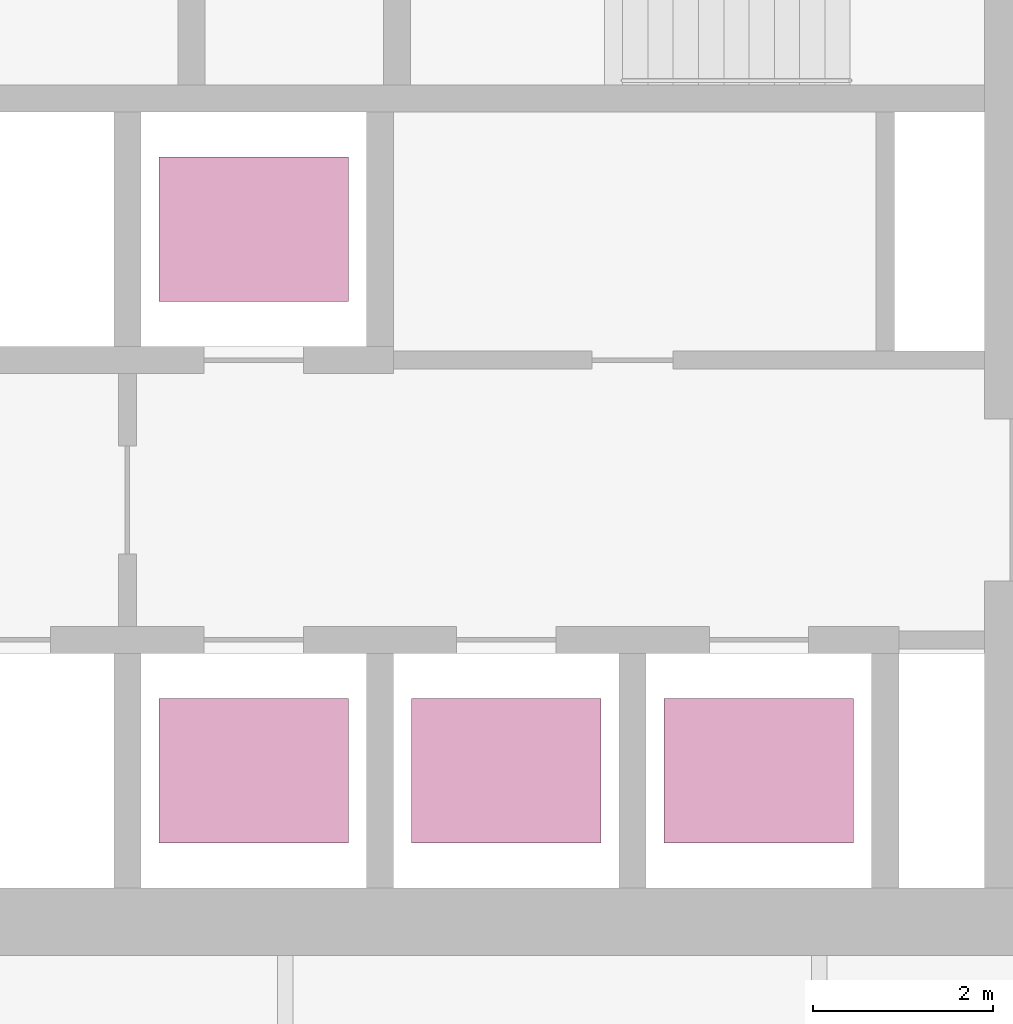
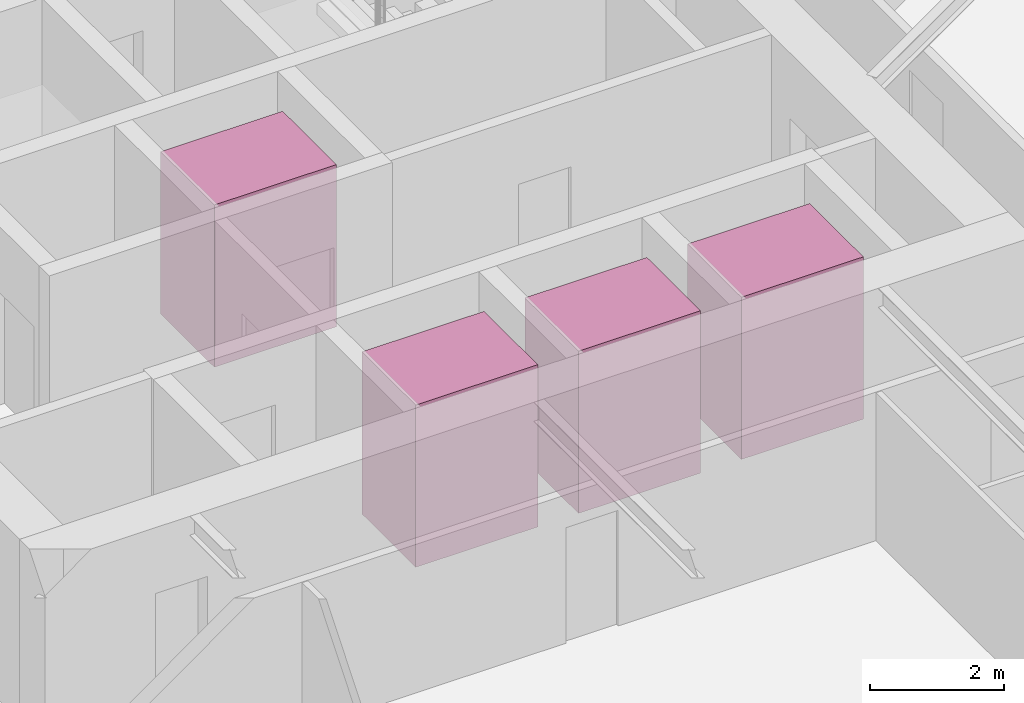
# One storey, part 23 of 23: 4 transport elements.
"""IFC4 building model written with IfcOpenShell, lengths in metres."""

from ifc_helpers import new_model, si_unit, direction, frame, origin, origin_2d, place, context, subcontext, project, spatial, rectangle, extrude, material, type_object, element, save


model = new_model("IFC4")

# Units and contexts
model_context = context("Model", 3, precision=1e-05, world=origin(), true_north=direction((0.0, 1.0)))
body_context = subcontext(model_context, "Body", "Model", "MODEL_VIEW")
ifc_project = project(units=[si_unit("LENGTHUNIT", "METRE"), si_unit("AREAUNIT", "SQUARE_METRE"), si_unit("VOLUMEUNIT", "CUBIC_METRE"), si_unit("PLANEANGLEUNIT", "RADIAN"), si_unit("MASSUNIT", "GRAM", prefix="KILO")], contexts=[model_context])

# Site, building, storey
site_placement = place(None, origin())
site = spatial("IfcSite", under=ifc_project, at=site_placement, CompositionType="ELEMENT")
building_placement = place(site_placement, origin())
building = spatial("IfcBuilding", under=site, at=building_placement, Name="Firuza Gate Tower and Library", CompositionType="ELEMENT")
storey_placement = place(building_placement, frame((0.0, 0.0, 312.60009765625)))
storey = spatial("IfcBuildingStorey", under=building, at=storey_placement, Name="L76", CompositionType="ELEMENT", Elevation=312.60009765625)

# Transport elements
ifc_material = material(Name="Stainless steel and glass", Category="steel")
transport_element_type = type_object("IfcTransportElementType", Name="High-rise lift car 2100x1600", PredefinedType="ELEVATOR", material=ifc_material)
for number, where, z_axis, x_axis, name in (
    (1, (74.64990234375, 70.300048828125, 0.0), (0.0, 0.0, 1.0), (1.0, 0.0, 0.0), "High-rise lift HR1"),
    (2, (77.449951171875, 70.300048828125, 0.0), (0.0, 0.0, 1.0), (1.0, 0.0, 0.0), "High-rise lift HR2"),
    (3, (80.25, 70.300048828125, 0.0), (0.0, 0.0, 1.0), (1.0, 0.0, 0.0), "High-rise lift HR3"),
    (4, (74.64990234375, 76.300048828125, 0.0), (0.0, 0.0, 1.0), (1.0, 0.0, 0.0), "High-rise lift HR4"),
):
    element("IfcTransportElement", number, at=place(storey_placement, frame(where, z_axis=z_axis, x_axis=x_axis)), inside=storey, type_object=transport_element_type, Name=name, PredefinedType="ELEVATOR", context=body_context, shape_type="SweptSolid", body=[
        extrude(rectangle(XDim=2.10009765625, YDim=1.60009765625, at=origin_2d()), origin(), (0.0, 0.0, 1.0), 2.949951171875),
    ])

save(model, "model.ifc")
